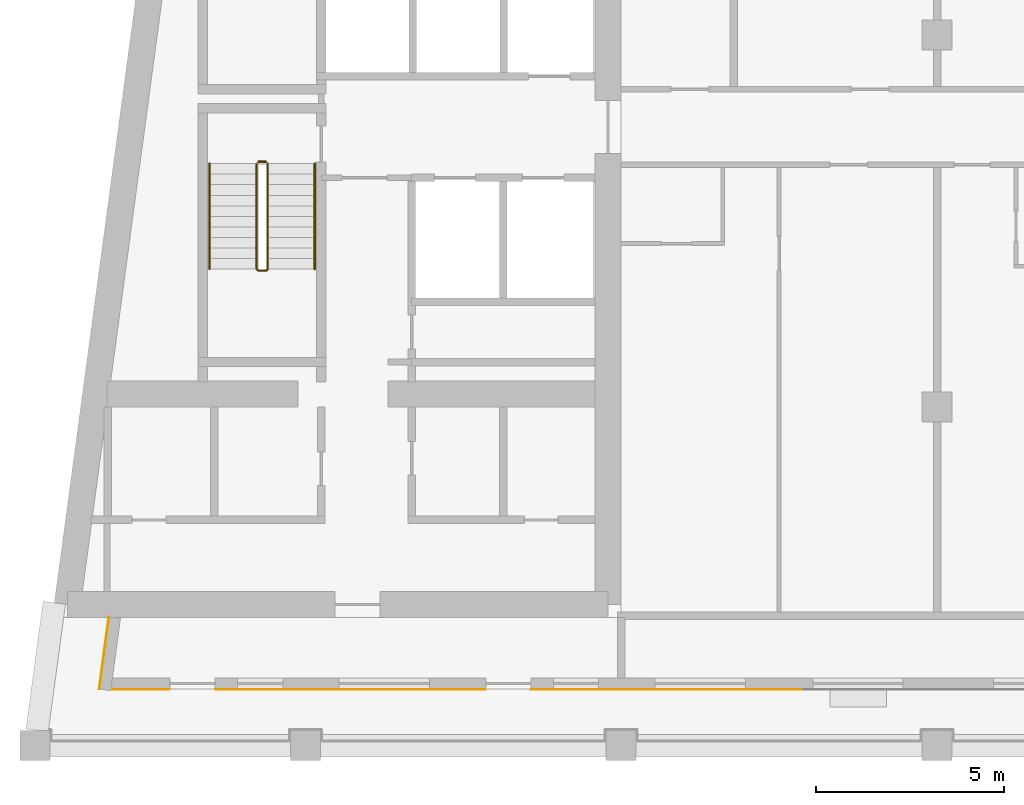
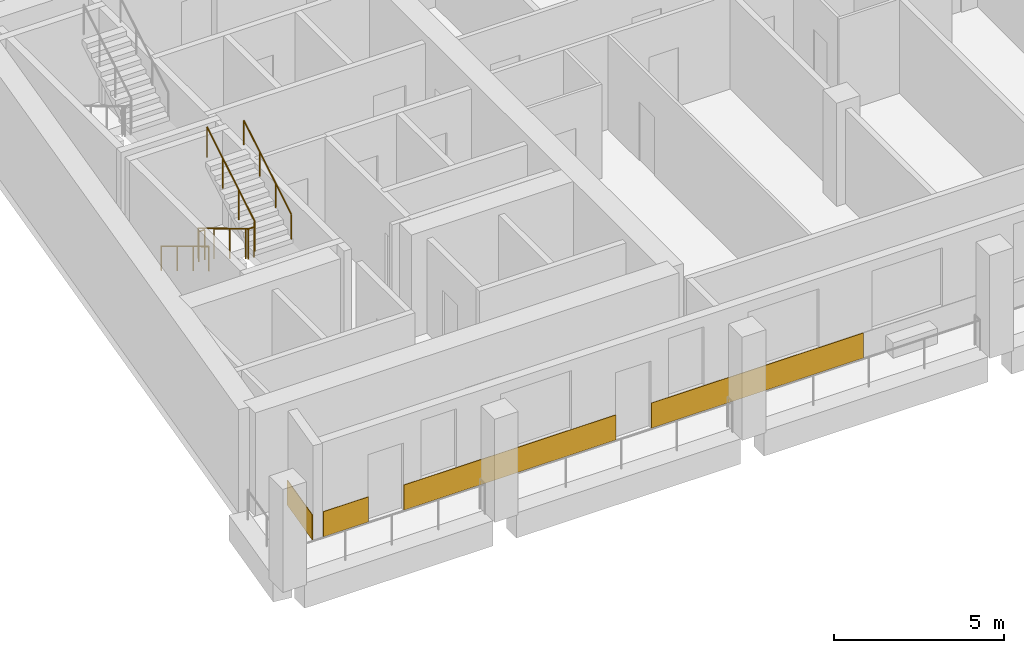
# One storey, part 8 of 13: 4 coverings, 4 railings.
"""IFC4 building model written with IfcOpenShell, lengths in metres."""

from ifc_helpers import new_model, si_unit, direction, frame, origin, origin_2d, place, context, subcontext, project, spatial, rectangle, circle, extrude, material, layer, layer_set, type_object, element, save


model = new_model("IFC4")

# Units and contexts
model_context = context("Model", 3, precision=1e-05, world=origin(), true_north=direction((0.0, 1.0)))
body_context = subcontext(model_context, "Body", "Model", "MODEL_VIEW")
ifc_project = project(units=[si_unit("LENGTHUNIT", "METRE"), si_unit("AREAUNIT", "SQUARE_METRE"), si_unit("VOLUMEUNIT", "CUBIC_METRE"), si_unit("PLANEANGLEUNIT", "RADIAN"), si_unit("MASSUNIT", "GRAM", prefix="KILO")], contexts=[model_context])

# Site, building, storey
site_placement = place(None, origin())
site = spatial("IfcSite", under=ifc_project, at=site_placement, CompositionType="ELEMENT")
building_placement = place(site_placement, origin())
building = spatial("IfcBuilding", under=site, at=building_placement, Name="Candeia Pilgrim Tower and Theatre", CompositionType="ELEMENT")
storey_placement = place(building_placement, frame((0.0, 0.0, 277.5)))
storey = spatial("IfcBuildingStorey", under=building, at=storey_placement, Name="L67", CompositionType="ELEMENT", Elevation=277.5)

# Coverings
ifc_material_1 = material(Name="Glazed ceramic tile bottle green")
ifc_layer = layer(ifc_material_1, 0.02001953125)
ifc_layer_set = layer_set([ifc_layer], Name="Glazed ceramic tile bottle green")
covering_type = type_object("IfcCoveringType", Name="Glazed ceramic tile bottle green", PredefinedType="CLADDING", material=ifc_layer_set)
covering_1_placement = place(storey_placement, frame((87.04638671875, 109.46142578125, 0.0), z_axis=(0.0, 0.0, 1.0), x_axis=(-0.133412012145, -0.991060661622, 0.0)))
element("IfcCovering", 1, at=covering_1_placement, inside=storey, type_object=covering_type, Name="Tile cladding bottle green L67", PredefinedType="CLADDING", context=body_context, shape_type="SweptSolid", body=[
    extrude(rectangle(XDim=1.937255859375, YDim=0.02001953125, at=origin_2d()), origin(), (0.0, 0.0, 1.0), 0.89990234375),
])
covering_2_placement = place(storey_placement, frame((88.0341796875, 108.489990234375, 0.0), z_axis=(0.0, 0.0, 1.0), x_axis=(1.0, 0.0, 0.0)))
element("IfcCovering", 2, at=covering_2_placement, inside=storey, type_object=covering_type, Name="Tile cladding bottle green L67", PredefinedType="CLADDING", context=body_context, shape_type="SweptSolid", body=[
    extrude(rectangle(XDim=1.531494140625, YDim=0.02001953125, at=origin_2d()), origin(), (0.0, 0.0, 1.0), 0.89990234375),
])
for number, where, z_axis, x_axis, name in (
    (3, (93.60009765625, 108.489990234375, 0.0), (0.0, 0.0, 1.0), (1.0, 0.0, 0.0), "Tile cladding bottle green L67"),
    (4, (102.0, 108.489990234375, 0.0), (0.0, 0.0, 1.0), (1.0, 0.0, 0.0), "Tile cladding bottle green L67"),
):
    element("IfcCovering", number, at=place(storey_placement, frame(where, z_axis=z_axis, x_axis=x_axis)), inside=storey, type_object=covering_type, Name=name, PredefinedType="CLADDING", context=body_context, shape_type="SweptSolid", body=[
        extrude(rectangle(XDim=7.199951171875, YDim=0.02001953125, at=origin_2d()), origin(), (0.0, 0.0, 1.0), 0.89990234375),
    ])

# Railings
ifc_material_2 = material(Name="Stainless steel balustrade", Category="steel")
railing_type_1 = type_object("IfcRailingType", Name="RL-GUARD-1100", PredefinedType="GUARDRAIL", material=ifc_material_2)
railing_1_placement = place(storey_placement, frame((91.10205078125, 122.47509765625, 0.168212890625)))
element("IfcRailing", 5, at=railing_1_placement, inside=storey, type_object=railing_type_1, Name="L67 ST1 stair guard 1", PredefinedType="GUARDRAIL", context=body_context, shape_type="SweptSolid", body=[
    extrude(circle(Radius=0.02392578125, at=origin_2d()), frame((0.0, 0.0, 1.076171875), z_axis=(0.0, -0.857242210791, 0.514913383045), x_axis=(1.0, 0.0, 0.0)), (0.0, 0.0, 1.0), 3.266357421875),
    extrude(circle(Radius=0.02392578125, at=origin_2d()), frame((0.0, -2.800048828125, 2.7578125), z_axis=(0.707106781187, -0.707106781187, 0.0), x_axis=(0.707106781187, 0.707106781187, 0.0)), (0.0, 0.0, 1.0), 0.07080078125),
    extrude(circle(Radius=0.02392578125, at=origin_2d()), frame((0.050048828125, -2.85009765625, 2.7578125), z_axis=(1.0, 0.0, 0.0), x_axis=(0.0, 1.0, 0.0)), (0.0, 0.0, 1.0), 0.199951171875),
    extrude(circle(Radius=0.02392578125, at=origin_2d()), frame((0.25, -2.85009765625, 2.7578125), z_axis=(0.274582412415, 0.274582412415, 0.921525364591), x_axis=(-0.707106781187, 0.707106781187, 0.0)), (0.0, 0.0, 1.0), 0.182373046875),
    extrude(circle(Radius=0.02392578125, at=origin_2d()), frame((0.300048828125, -2.800048828125, 2.92578125), z_axis=(0.0, 0.857242210791, 0.514913383045), x_axis=(-1.0, 0.0, 0.0)), (0.0, 0.0, 1.0), 3.266357421875),
    extrude(circle(Radius=0.02099609375, at=origin_2d()), origin(), (0.0, 0.0, 1.0), 1.052001953125),
    extrude(circle(Radius=0.02099609375, at=origin_2d()), frame((0.0, -0.933349609375, 0.560546875)), (0.0, 0.0, 1.0), 1.052001953125),
    extrude(circle(Radius=0.02099609375, at=origin_2d()), frame((0.0, -1.86669921875, 1.121337890625)), (0.0, 0.0, 1.0), 1.052001953125),
    extrude(circle(Radius=0.02099609375, at=origin_2d()), frame((0.0, -2.800048828125, 1.681884765625)), (0.0, 0.0, 1.0), 1.052001953125),
    extrude(circle(Radius=0.02099609375, at=origin_2d()), frame((0.050048828125, -2.85009765625, 1.681884765625)), (0.0, 0.0, 1.0), 1.052001953125),
    extrude(circle(Radius=0.02099609375, at=origin_2d()), frame((0.25, -2.85009765625, 1.681884765625)), (0.0, 0.0, 1.0), 1.052001953125),
    extrude(circle(Radius=0.02099609375, at=origin_2d()), frame((0.300048828125, -2.800048828125, 1.849853515625)), (0.0, 0.0, 1.0), 1.052001953125),
    extrude(circle(Radius=0.02099609375, at=origin_2d()), frame((0.300048828125, -1.86669921875, 2.410400390625)), (0.0, 0.0, 1.0), 1.052001953125),
    extrude(circle(Radius=0.02099609375, at=origin_2d()), frame((0.300048828125, -0.933349609375, 2.97119140625)), (0.0, 0.0, 1.0), 1.052001953125),
    extrude(circle(Radius=0.02099609375, at=origin_2d()), frame((0.300048828125, 0.0, 3.53173828125)), (0.0, 0.0, 1.0), 1.052001953125),
])
railing_2_placement = place(storey_placement, frame((91.152099609375, 122.52490234375, 0.0)))
element("IfcRailing", 6, at=railing_2_placement, inside=storey, type_object=railing_type_1, Name="L67 ST1 stair guard 2", PredefinedType="GUARDRAIL", context=body_context, shape_type="SweptSolid", body=[
    extrude(circle(Radius=0.02392578125, at=origin_2d()), frame((0.0, 0.0, 1.076171875), z_axis=(1.0, 0.0, 0.0), x_axis=(0.0, 1.0, 0.0)), (0.0, 0.0, 1.0), 0.199951171875),
    extrude(circle(Radius=0.02099609375, at=origin_2d()), origin(), (0.0, 0.0, 1.0), 1.052001953125),
    extrude(circle(Radius=0.02099609375, at=origin_2d()), frame((0.199951171875, 0.0, 0.0)), (0.0, 0.0, 1.0), 1.052001953125),
])
ifc_material_3 = material(Name="Stainless steel handrail", Category="steel")
railing_type_2 = type_object("IfcRailingType", Name="RL-HANDRAIL-900", PredefinedType="HANDRAIL", material=ifc_material_3)
railing_3_placement = place(storey_placement, frame((89.85205078125, 122.47509765625, 0.168212890625)))
element("IfcRailing", 7, at=railing_3_placement, inside=storey, type_object=railing_type_2, Name="L67 ST1 stair handrail 1", PredefinedType="HANDRAIL", context=body_context, shape_type="SweptSolid", body=[
    extrude(circle(Radius=0.02392578125, at=origin_2d()), frame((0.0, 0.0, 0.8759765625), z_axis=(0.0, -0.857242210791, 0.514913383045), x_axis=(1.0, 0.0, 0.0)), (0.0, 0.0, 1.0), 3.266357421875),
    extrude(circle(Radius=0.02099609375, at=origin_2d()), origin(), (0.0, 0.0, 1.0), 0.851806640625),
    extrude(circle(Radius=0.02099609375, at=origin_2d()), frame((0.0, -0.933349609375, 0.560546875)), (0.0, 0.0, 1.0), 0.851806640625),
    extrude(circle(Radius=0.02099609375, at=origin_2d()), frame((0.0, -1.86669921875, 1.121337890625)), (0.0, 0.0, 1.0), 0.851806640625),
    extrude(circle(Radius=0.02099609375, at=origin_2d()), frame((0.0, -2.800048828125, 1.681884765625)), (0.0, 0.0, 1.0), 0.851806640625),
])
railing_4_placement = place(storey_placement, frame((92.652099609375, 119.675048828125, 2.01806640625)))
element("IfcRailing", 8, at=railing_4_placement, inside=storey, type_object=railing_type_2, Name="L67 ST1 stair handrail 2", PredefinedType="HANDRAIL", context=body_context, shape_type="SweptSolid", body=[
    extrude(circle(Radius=0.02392578125, at=origin_2d()), frame((0.0, 0.0, 0.8759765625), z_axis=(0.0, 0.857242210791, 0.514913383045), x_axis=(-1.0, 0.0, 0.0)), (0.0, 0.0, 1.0), 3.266357421875),
    extrude(circle(Radius=0.02099609375, at=origin_2d()), origin(), (0.0, 0.0, 1.0), 0.851806640625),
    extrude(circle(Radius=0.02099609375, at=origin_2d()), frame((0.0, 0.933349609375, 0.560546875)), (0.0, 0.0, 1.0), 0.851806640625),
    extrude(circle(Radius=0.02099609375, at=origin_2d()), frame((0.0, 1.86669921875, 1.121337890625)), (0.0, 0.0, 1.0), 0.851806640625),
    extrude(circle(Radius=0.02099609375, at=origin_2d()), frame((0.0, 2.800048828125, 1.681884765625)), (0.0, 0.0, 1.0), 0.851806640625),
])

save(model, "model.ifc")
